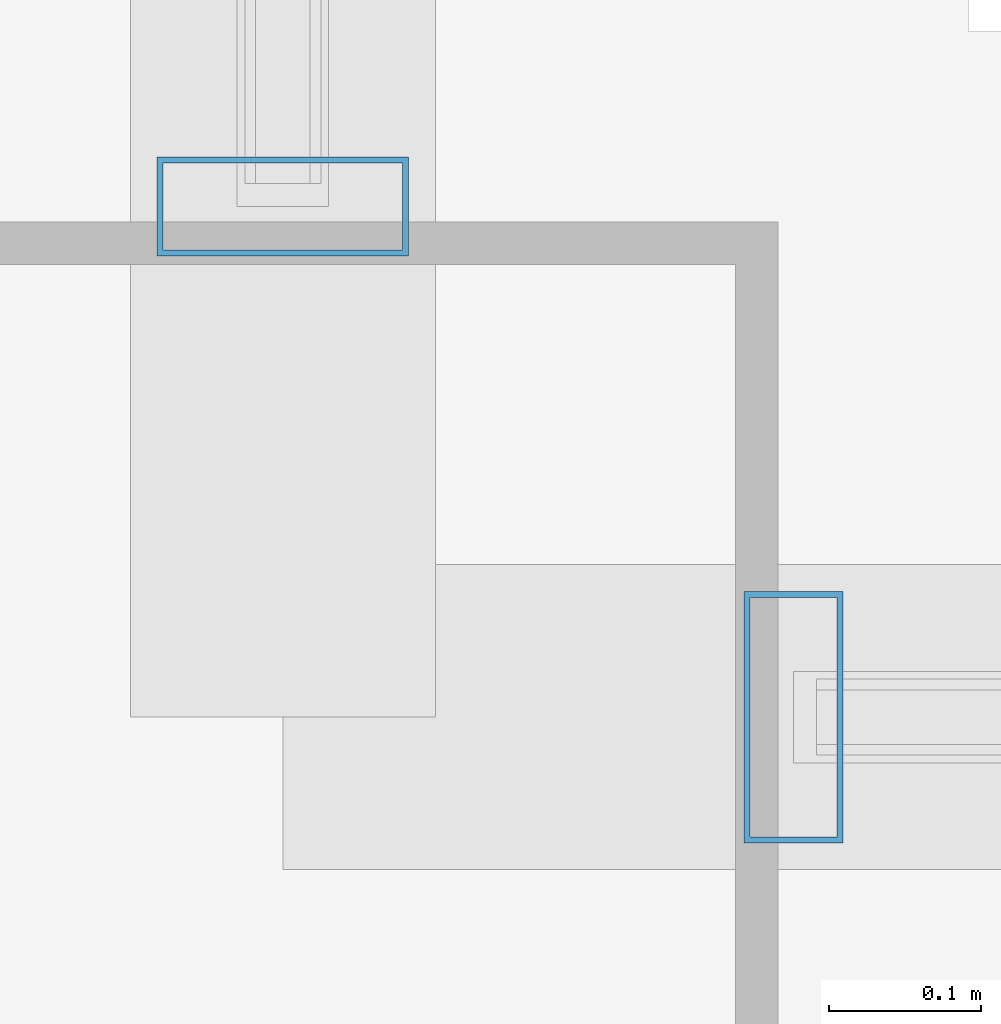
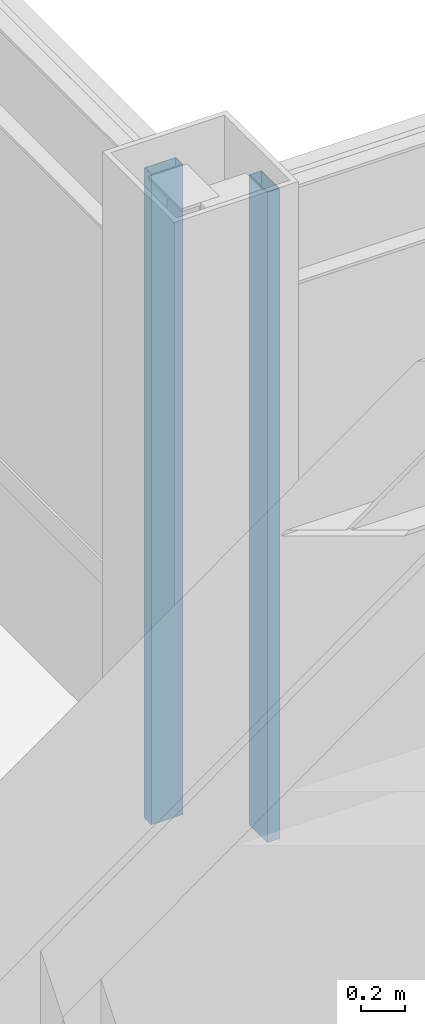
# One storey, part 10 of 23: 2 members, 2 elements without a shape of their own.
"""IFC4 building model written with IfcOpenShell, lengths in metres."""

from ifc_helpers import new_model, si_unit, direction, frame, origin, origin_2d, place, context, subcontext, project, spatial, hollow_rectangle, extrude, material, layer, layer_set, material_profile, profile_set, type_object, element, aggregate, save


model = new_model("IFC4")

# Units and contexts
model_context = context("Model", 3, precision=1e-05, world=origin(), true_north=direction((0.0, 1.0)))
body_context = subcontext(model_context, "Body", "Model", "MODEL_VIEW")
ifc_project = project(units=[si_unit("LENGTHUNIT", "METRE"), si_unit("AREAUNIT", "SQUARE_METRE"), si_unit("VOLUMEUNIT", "CUBIC_METRE"), si_unit("PLANEANGLEUNIT", "RADIAN"), si_unit("MASSUNIT", "GRAM", prefix="KILO")], contexts=[model_context])

# Site, building, storey
site_placement = place(None, origin())
site = spatial("IfcSite", under=ifc_project, at=site_placement, CompositionType="ELEMENT")
building_placement = place(site_placement, origin())
building = spatial("IfcBuilding", under=site, at=building_placement, Name="Brelmoor Portico Tower", CompositionType="ELEMENT")
storey_placement = place(building_placement, frame((0.0, 0.0, 222.0)))
storey = spatial("IfcBuildingStorey", under=building, at=storey_placement, Name="L58", CompositionType="ELEMENT", Elevation=222.0)

# Curtain wall, member
ifc_material = material(Name="Anodised Aluminium Alloy 6063-T6", Category="aluminium")
ifc_layer = layer(ifc_material, 0.179931640625)
ifc_layer_set = layer_set([ifc_layer], Name="Anodised Aluminium Alloy 6063-T6")
curtain_wall_type = type_object("IfcCurtainWallType", Name="CW-NOTCH-CHAMFER", PredefinedType="NOTDEFINED", material=ifc_layer_set)
curtain_wall_1_placement = place(storey_placement, origin())
curtain_wall_1 = element("IfcCurtainWall", 1, at=curtain_wall_1_placement, inside=storey, type_object=curtain_wall_type, Name="L58 Curtain Wall CWN-L58-NEH", PredefinedType="NOTDEFINED")
ifc_material_profile = material_profile(ifc_material, hollow_rectangle(XDim=0.06494140625, YDim=0.1650390625, WallThickness=0.00390625, at=origin_2d()), Name="ALU MULLION 65x165")
ifc_profile_set = profile_set([ifc_material_profile], Name="Anodised Aluminium Alloy 6063-T6")
member_type = type_object("IfcMemberType", Name="MB-CW-MULL-165", PredefinedType="MULLION", material=ifc_profile_set)
member_1_placement = place(storey_placement, frame((12.885009765625, 11.550048828125, -0.199951171875), z_axis=(0.0, 0.0, 1.0), x_axis=(1.0, 0.0, 0.0)))
member_1 = element("IfcMember", 2, at=member_1_placement, type_object=member_type, Name="CWN-L58-NEH Mullion 00", PredefinedType="MULLION", context=body_context, shape_type="SweptSolid", body=[
    extrude(hollow_rectangle(XDim=0.06494140625, YDim=0.1650390625, WallThickness=0.00390625, at=origin_2d()), origin(), (0.0, 0.0, 1.0), 3.599853515625),
])
aggregate(curtain_wall_1, [member_1])

curtain_wall_2_placement = place(storey_placement, origin())
curtain_wall_2 = element("IfcCurtainWall", 3, at=curtain_wall_2_placement, inside=storey, type_object=curtain_wall_type, Name="L58 Curtain Wall CWN-L58-NEV", PredefinedType="NOTDEFINED")
member_2_placement = place(storey_placement, frame((12.550048828125, 11.885009765625, -0.199951171875), z_axis=(0.0, 0.0, 1.0), x_axis=(0.0, 1.0, 0.0)))
member_2 = element("IfcMember", 4, at=member_2_placement, type_object=member_type, Name="CWN-L58-NEV Mullion 00", PredefinedType="MULLION", context=body_context, shape_type="SweptSolid", body=[
    extrude(hollow_rectangle(XDim=0.06494140625, YDim=0.1650390625, WallThickness=0.00390625, at=origin_2d()), origin(), (0.0, 0.0, 1.0), 3.599853515625),
])
aggregate(curtain_wall_2, [member_2])

save(model, "model.ifc")
